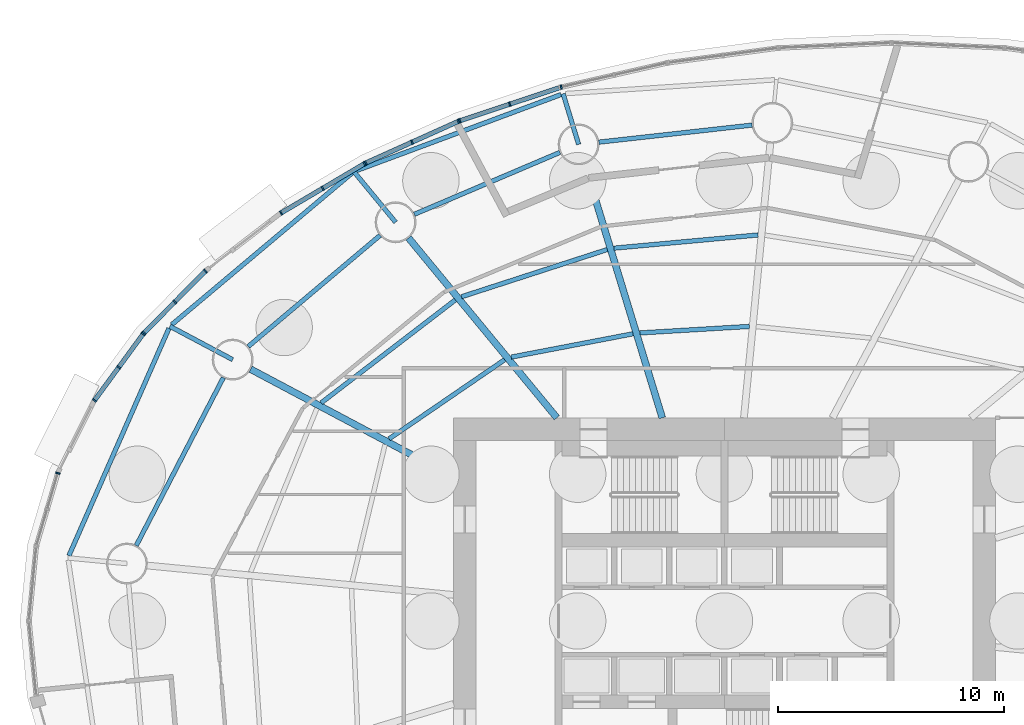
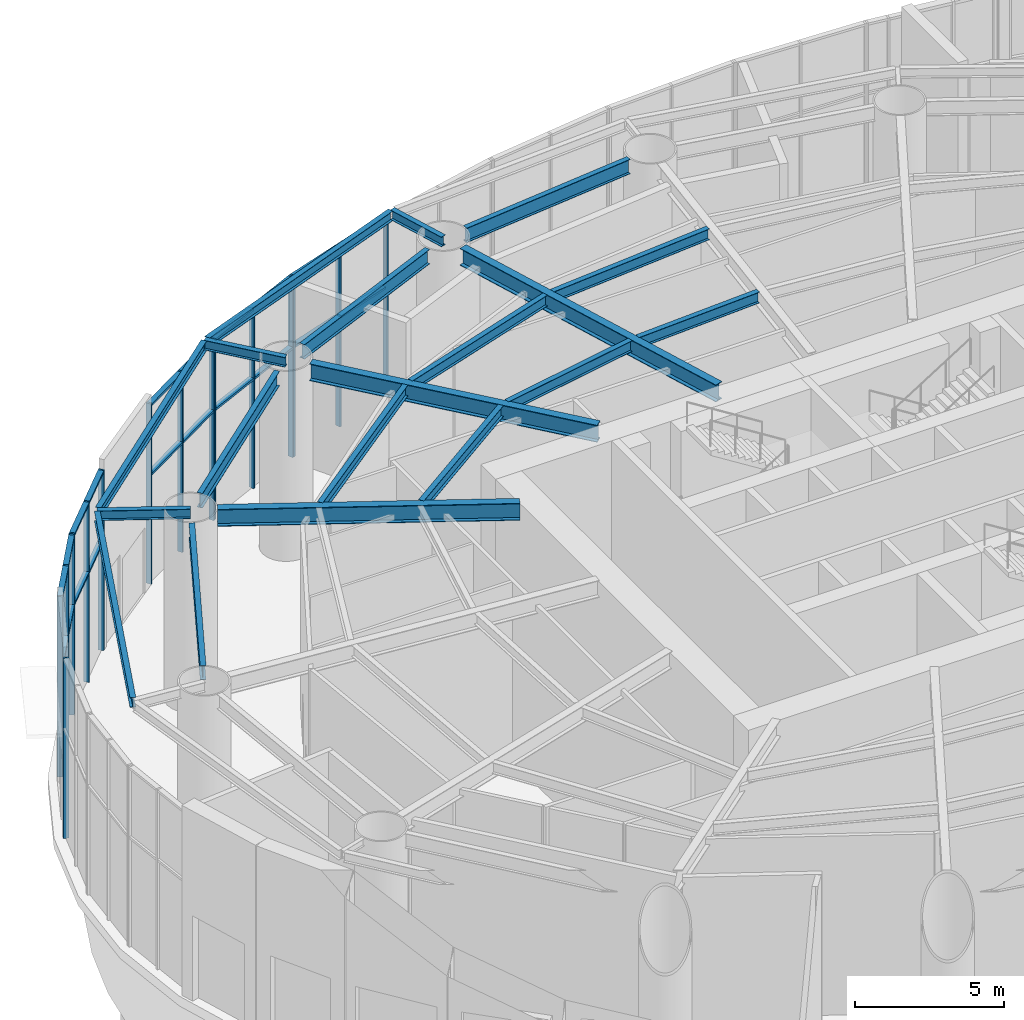
# One storey, part 10 of 27: 36 members, 19 beams, 7 elements without a shape of their own.
"""IFC4 building model written with IfcOpenShell, lengths in metres."""

from ifc_helpers import new_model, si_unit, direction, frame, origin, origin_2d, place, context, subcontext, project, spatial, rectangle, i_section, extrude, material, material_profile, profile_set, type_object, element, aggregate, save


model = new_model("IFC4")

# Units and contexts
model_context = context("Model", 3, precision=1e-05, world=origin(), true_north=direction((0.0, 1.0)))
body_context = subcontext(model_context, "Body", "Model", "MODEL_VIEW")
ifc_project = project(units=[si_unit("LENGTHUNIT", "METRE"), si_unit("AREAUNIT", "SQUARE_METRE"), si_unit("VOLUMEUNIT", "CUBIC_METRE"), si_unit("PLANEANGLEUNIT", "RADIAN"), si_unit("MASSUNIT", "GRAM", prefix="KILO")], contexts=[model_context])

# Site, building, storey
site_placement = place(None, origin())
site = spatial("IfcSite", under=ifc_project, at=site_placement, CompositionType="ELEMENT")
building_placement = place(site_placement, origin())
building = spatial("IfcBuilding", under=site, at=building_placement, Name="Vermilion Reach Broadcast Tower", CompositionType="ELEMENT")
storey_placement = place(building_placement, origin())
storey = spatial("IfcBuildingStorey", under=building, at=storey_placement, Name="L00", CompositionType="ELEMENT", Elevation=0.0)

# Beams
ifc_material_1 = material(Name="Steel S355J2", Category="steel")
ifc_material_profile_1 = material_profile(ifc_material_1, i_section(OverallWidth=0.199951171875, OverallDepth=0.39990234375, WebThickness=0.008056640625, FlangeThickness=0.012939453125, at=origin_2d()), Name="S355J2 HN 400x200x8x13")
ifc_profile_set_1 = profile_set([ifc_material_profile_1], Name="Steel S355J2")
beam_type_1 = type_object("IfcBeamType", Name="EB1 HN 400x200x8x13", PredefinedType="BEAM", material=ifc_profile_set_1)
beam_1_placement = place(storey_placement, frame((-13.23779296875, 23.3173828125, 7.60009765625), z_axis=(-0.9372716621, -0.348599815582, 0.0), x_axis=(0.348599815582, -0.9372716621, 0.0)))
element("IfcBeam", 1, at=beam_1_placement, inside=storey, type_object=beam_type_1, Name="Edge beam EB1-05", PredefinedType="BEAM", context=body_context, shape_type="SweptSolid", body=[
    extrude(i_section(OverallWidth=0.199951171875, OverallDepth=0.39990234375, WebThickness=0.008056640625, FlangeThickness=0.012939453125, at=origin_2d()), origin(), (0.0, 0.0, 1.0), 9.684326171875),
])
beam_2_placement = place(storey_placement, frame((-22.490478515625, 19.840087890625, 7.60009765625), z_axis=(-0.765453208317, -0.643491558513, 0.0), x_axis=(0.643491558513, -0.765453208317, 0.0)))
element("IfcBeam", 2, at=beam_2_placement, inside=storey, type_object=beam_type_1, Name="Edge beam EB1-06", PredefinedType="BEAM", context=body_context, shape_type="SweptSolid", body=[
    extrude(i_section(OverallWidth=0.199951171875, OverallDepth=0.39990234375, WebThickness=0.008056640625, FlangeThickness=0.012939453125, at=origin_2d()), origin(), (0.0, 0.0, 1.0), 10.437255859375),
])
beam_3_placement = place(storey_placement, frame((-30.6025390625, 12.962646484375, 7.60009765625), z_axis=(-0.402751254677, -0.915309470538, 0.0), x_axis=(0.915309470538, -0.402751254677, 0.0)))
element("IfcBeam", 3, at=beam_3_placement, inside=storey, type_object=beam_type_1, Name="Edge beam EB1-07", PredefinedType="BEAM", context=body_context, shape_type="SweptSolid", body=[
    extrude(i_section(OverallWidth=0.199951171875, OverallDepth=0.39990234375, WebThickness=0.008056640625, FlangeThickness=0.012939453125, at=origin_2d()), origin(), (0.0, 0.0, 1.0), 11.00341796875),
])
ifc_material_2 = material(Name="Steel S355J2", Category="steel")
ifc_material_profile_2 = material_profile(ifc_material_2, i_section(OverallWidth=0.300048828125, OverallDepth=0.699951171875, WebThickness=0.012939453125, FlangeThickness=0.02392578125, at=origin_2d()), Name="S355J2 HN 700x300x13x24")
ifc_profile_set_2 = profile_set([ifc_material_profile_2], Name="Steel S355J2")
beam_type_2 = type_object("IfcBeamType", Name="G1 HN 700x300x13x24", PredefinedType="BEAM", material=ifc_profile_set_2)
beam_4_placement = place(storey_placement, frame((-8.753173828125, 9.0, 7.449951171875), z_axis=(-0.292542302886, 0.95625258223, 0.0), x_axis=(-0.95625258223, -0.292542302886, 0.0)))
element("IfcBeam", 4, at=beam_4_placement, inside=storey, type_object=beam_type_2, Name="Girder G1-05", PredefinedType="BEAM", context=body_context, shape_type="SweptSolid", body=[
    extrude(i_section(OverallWidth=0.300048828125, OverallDepth=0.699951171875, WebThickness=0.012939453125, FlangeThickness=0.02392578125, at=origin_2d()), origin(), (0.0, 0.0, 1.0), 11.76220703125),
])
beam_5_placement = place(storey_placement, frame((-13.421630859375, 9.0, 7.449951171875), z_axis=(-0.636215165107, 0.77151167437, 0.0), x_axis=(-0.77151167437, -0.636215165107, 0.0)))
element("IfcBeam", 5, at=beam_5_placement, inside=storey, type_object=beam_type_2, Name="Girder G1-06", PredefinedType="BEAM", context=body_context, shape_type="SweptSolid", body=[
    extrude(i_section(OverallWidth=0.300048828125, OverallDepth=0.699951171875, WebThickness=0.012939453125, FlangeThickness=0.02392578125, at=origin_2d()), origin(), (0.0, 0.0, 1.0), 10.3251953125),
])
beam_6_placement = place(storey_placement, frame((-18.0, 6.3779296875, 7.449951171875), z_axis=(-0.883032139419, 0.469312519279, 0.0), x_axis=(-0.469312519279, -0.883032139419, 0.0)))
element("IfcBeam", 6, at=beam_6_placement, inside=storey, type_object=beam_type_2, Name="Girder G1-07", PredefinedType="BEAM", context=body_context, shape_type="SweptSolid", body=[
    extrude(i_section(OverallWidth=0.300048828125, OverallDepth=0.699951171875, WebThickness=0.012939453125, FlangeThickness=0.02392578125, at=origin_2d()), origin(), (0.0, 0.0, 1.0), 10.17529296875),
])
ifc_material_3 = material(Name="Steel S355J2", Category="steel")
ifc_material_profile_3 = material_profile(ifc_material_3, i_section(OverallWidth=0.199951171875, OverallDepth=0.39990234375, WebThickness=0.008056640625, FlangeThickness=0.012939453125, at=origin_2d()), Name="S355J2 HN 400x200x8x13")
ifc_profile_set_3 = profile_set([ifc_material_profile_3], Name="Steel S355J2")
beam_type_3 = type_object("IfcBeamType", Name="GC1 HN 400x200x8x13", PredefinedType="BEAM", material=ifc_profile_set_3)
beam_7_placement = place(storey_placement, frame((-12.45751953125, 21.108154296875, 7.60009765625), z_axis=(-0.292535678809, 0.956254608681, 0.0), x_axis=(-0.956254608681, -0.292535678809, 0.0)))
element("IfcBeam", 7, at=beam_7_placement, inside=storey, type_object=beam_type_3, Name="Cantilever girder GC1-05", PredefinedType="BEAM", context=body_context, shape_type="SweptSolid", body=[
    extrude(i_section(OverallWidth=0.199951171875, OverallDepth=0.39990234375, WebThickness=0.008056640625, FlangeThickness=0.012939453125, at=origin_2d()), origin(), (0.0, 0.0, 1.0), 2.346923828125),
])
beam_8_placement = place(storey_placement, frame((-20.563232421875, 17.660400390625, 7.60009765625), z_axis=(-0.636213137876, 0.771513346089, 0.0), x_axis=(-0.771513346089, -0.636213137876, 0.0)))
element("IfcBeam", 8, at=beam_8_placement, inside=storey, type_object=beam_type_3, Name="Cantilever girder GC1-06", PredefinedType="BEAM", context=body_context, shape_type="SweptSolid", body=[
    extrude(i_section(OverallWidth=0.199951171875, OverallDepth=0.39990234375, WebThickness=0.008056640625, FlangeThickness=0.012939453125, at=origin_2d()), origin(), (0.0, 0.0, 1.0), 2.90869140625),
])
beam_9_placement = place(storey_placement, frame((-27.77978515625, 11.57568359375, 7.60009765625), z_axis=(-0.8830404704, 0.469296843837, 0.0), x_axis=(-0.469296843837, -0.8830404704, 0.0)))
element("IfcBeam", 9, at=beam_9_placement, inside=storey, type_object=beam_type_3, Name="Cantilever girder GC1-07", PredefinedType="BEAM", context=body_context, shape_type="SweptSolid", body=[
    extrude(i_section(OverallWidth=0.199951171875, OverallDepth=0.39990234375, WebThickness=0.008056640625, FlangeThickness=0.012939453125, at=origin_2d()), origin(), (0.0, 0.0, 1.0), 3.151123046875),
])
ifc_material_4 = material(Name="Steel S355J2", Category="steel")
ifc_material_profile_4 = material_profile(ifc_material_4, i_section(OverallWidth=0.199951171875, OverallDepth=0.60009765625, WebThickness=0.010986328125, FlangeThickness=0.01708984375, at=origin_2d()), Name="S355J2 HN 600x200x11x17")
ifc_profile_set_4 = profile_set([ifc_material_profile_4], Name="Steel S355J2")
beam_type_4 = type_object("IfcBeamType", Name="RB1 HN 600x200x11x17", PredefinedType="BEAM", material=ifc_profile_set_4)
beam_10_placement = place(storey_placement, frame((-4.77392578125, 21.964111328125, 7.5), z_axis=(-0.993851439324, -0.110721798009, 0.0), x_axis=(0.110721798009, -0.993851439324, 0.0)))
element("IfcBeam", 10, at=beam_10_placement, inside=storey, type_object=beam_type_4, Name="Ring beam RB1-04", PredefinedType="BEAM", context=body_context, shape_type="SweptSolid", body=[
    extrude(i_section(OverallWidth=0.199951171875, OverallDepth=0.60009765625, WebThickness=0.010986328125, FlangeThickness=0.01708984375, at=origin_2d()), origin(), (0.0, 0.0, 1.0), 6.8310546875),
])
beam_11_placement = place(storey_placement, frame((-13.28564453125, 20.755859375, 7.5), z_axis=(-0.920220846584, -0.391399531825, 0.0), x_axis=(0.391399531825, -0.920220846584, 0.0)))
element("IfcBeam", 11, at=beam_11_placement, inside=storey, type_object=beam_type_4, Name="Ring beam RB1-05", PredefinedType="BEAM", context=body_context, shape_type="SweptSolid", body=[
    extrude(i_section(OverallWidth=0.199951171875, OverallDepth=0.60009765625, WebThickness=0.010986328125, FlangeThickness=0.01708984375, at=origin_2d()), origin(), (0.0, 0.0, 1.0), 7.008544921875),
])
beam_12_placement = place(storey_placement, frame((-21.251220703125, 17.080322265625, 7.5), z_axis=(-0.764512441084, -0.6446089725, 0.0), x_axis=(0.6446089725, -0.764512441084, 0.0)))
element("IfcBeam", 12, at=beam_12_placement, inside=storey, type_object=beam_type_4, Name="Ring beam RB1-06", PredefinedType="BEAM", context=body_context, shape_type="SweptSolid", body=[
    extrude(i_section(OverallWidth=0.199951171875, OverallDepth=0.60009765625, WebThickness=0.010986328125, FlangeThickness=0.01708984375, at=origin_2d()), origin(), (0.0, 0.0, 1.0), 7.6396484375),
])
beam_13_placement = place(storey_placement, frame((-28.194091796875, 10.776611328125, 7.5), z_axis=(-0.460411617218, -0.887705549566, 0.0), x_axis=(0.887705549566, -0.460411617218, 0.0)))
element("IfcBeam", 13, at=beam_13_placement, inside=storey, type_object=beam_type_4, Name="Ring beam RB1-07", PredefinedType="BEAM", context=body_context, shape_type="SweptSolid", body=[
    extrude(i_section(OverallWidth=0.199951171875, OverallDepth=0.60009765625, WebThickness=0.010986328125, FlangeThickness=0.01708984375, at=origin_2d()), origin(), (0.0, 0.0, 1.0), 8.37451171875),
])
ifc_material_5 = material(Name="Steel S355J2", Category="steel")
ifc_material_profile_5 = material_profile(ifc_material_5, i_section(OverallWidth=0.199951171875, OverallDepth=0.449951171875, WebThickness=0.009033203125, FlangeThickness=0.013916015625, at=origin_2d()), Name="S355J2 HN 450x200x9x14")
ifc_profile_set_5 = profile_set([ifc_material_profile_5], Name="Steel S355J2")
beam_type_5 = type_object("IfcBeamType", Name="SB1 HN 450x200x9x14", PredefinedType="BEAM", material=ifc_profile_set_5)
beam_14_placement = place(storey_placement, frame((-4.896728515625, 13.046875, 7.574951171875), z_axis=(-0.99823410974, -0.059402543307, 0.0), x_axis=(0.059402543307, -0.99823410974, 0.0)))
element("IfcBeam", 14, at=beam_14_placement, inside=storey, type_object=beam_type_5, Name="Secondary beam SB1-04-1", PredefinedType="BEAM", context=body_context, shape_type="SweptSolid", body=[
    extrude(i_section(OverallWidth=0.199951171875, OverallDepth=0.449951171875, WebThickness=0.009033203125, FlangeThickness=0.013916015625, at=origin_2d()), origin(), (0.0, 0.0, 1.0), 4.85791015625),
])
beam_15_placement = place(storey_placement, frame((-4.50732421875, 17.09814453125, 7.574951171875), z_axis=(-0.995818616382, -0.091352521952, 0.0), x_axis=(0.091352521952, -0.995818616382, 0.0)))
element("IfcBeam", 15, at=beam_15_placement, inside=storey, type_object=beam_type_5, Name="Secondary beam SB1-04-2", PredefinedType="BEAM", context=body_context, shape_type="SweptSolid", body=[
    extrude(i_section(OverallWidth=0.199951171875, OverallDepth=0.449951171875, WebThickness=0.009033203125, FlangeThickness=0.013916015625, at=origin_2d()), origin(), (0.0, 0.0, 1.0), 6.4140625),
])
beam_16_placement = place(storey_placement, frame((-10.04833984375, 12.720703125, 7.574951171875), z_axis=(-0.982151348822, -0.188092339045, 0.0), x_axis=(0.188092339045, -0.982151348822, 0.0)))
element("IfcBeam", 16, at=beam_16_placement, inside=storey, type_object=beam_type_5, Name="Secondary beam SB1-05-1", PredefinedType="BEAM", context=body_context, shape_type="SweptSolid", body=[
    extrude(i_section(OverallWidth=0.199951171875, OverallDepth=0.449951171875, WebThickness=0.009033203125, FlangeThickness=0.013916015625, at=origin_2d()), origin(), (0.0, 0.0, 1.0), 5.4931640625),
])
beam_17_placement = place(storey_placement, frame((-11.18994140625, 16.4521484375, 7.574951171875), z_axis=(-0.951332300844, -0.308166924523, 0.0), x_axis=(0.308166924523, -0.951332300844, 0.0)))
element("IfcBeam", 17, at=beam_17_placement, inside=storey, type_object=beam_type_5, Name="Secondary beam SB1-05-2", PredefinedType="BEAM", context=body_context, shape_type="SweptSolid", body=[
    extrude(i_section(OverallWidth=0.199951171875, OverallDepth=0.449951171875, WebThickness=0.009033203125, FlangeThickness=0.013916015625, at=origin_2d()), origin(), (0.0, 0.0, 1.0), 6.787841796875),
])
beam_18_placement = place(storey_placement, frame((-15.735595703125, 11.5703125, 7.574951171875), z_axis=(-0.825140253447, -0.564927926502, 0.0), x_axis=(0.564927926502, -0.825140253447, 0.0)))
element("IfcBeam", 18, at=beam_18_placement, inside=storey, type_object=beam_type_5, Name="Secondary beam SB1-06-1", PredefinedType="BEAM", context=body_context, shape_type="SweptSolid", body=[
    extrude(i_section(OverallWidth=0.199951171875, OverallDepth=0.449951171875, WebThickness=0.009033203125, FlangeThickness=0.013916015625, at=origin_2d()), origin(), (0.0, 0.0, 1.0), 6.20458984375),
])
beam_19_placement = place(storey_placement, frame((-17.920166015625, 14.21923828125, 7.574951171875), z_axis=(-0.793349617473, -0.60876628065, 0.0), x_axis=(0.60876628065, -0.793349617473, 0.0)))
element("IfcBeam", 19, at=beam_19_placement, inside=storey, type_object=beam_type_5, Name="Secondary beam SB1-06-2", PredefinedType="BEAM", context=body_context, shape_type="SweptSolid", body=[
    extrude(i_section(OverallWidth=0.199951171875, OverallDepth=0.449951171875, WebThickness=0.009033203125, FlangeThickness=0.013916015625, at=origin_2d()), origin(), (0.0, 0.0, 1.0), 7.486328125),
])

# Curtain wall, member
ifc_material_6 = material(Name="Low-e laminated clear glass in aluminium frame", Category="aluminium")
curtain_wall_type = type_object("IfcCurtainWallType", Name="Street frontage curtain wall", PredefinedType="NOTDEFINED", material=ifc_material_6)
placement = place(storey_placement, origin())
curtain_wall_1 = element("IfcCurtainWall", 20, at=placement, inside=storey, type_object=curtain_wall_type, Name="Street frontage L00 05", PredefinedType="NOTDEFINED")
ifc_material_7 = material(Name="Anodised aluminium", Category="aluminium")
ifc_material_profile_6 = material_profile(ifc_material_7, rectangle(XDim=0.199951171875, YDim=0.070068359375, at=origin_2d()), Name="Street frontage mullion 70 x 200")
ifc_profile_set_6 = profile_set([ifc_material_profile_6], Name="Anodised aluminium")
member_type_1 = type_object("IfcMemberType", Name="Street frontage mullion 70 x 200", PredefinedType="MULLION", material=ifc_profile_set_6)
member_1_placement = place(storey_placement, frame((-13.22998046875, 23.643310546875, 0.0), z_axis=(0.0, 0.0, 1.0), x_axis=(0.222891523278, -0.974843253478, 0.0)))
member_1 = element("IfcMember", 21, at=member_1_placement, type_object=member_type_1, Name="Street frontage mullion L00 05.3", PredefinedType="MULLION", context=body_context, shape_type="SweptSolid", body=[
    extrude(rectangle(XDim=0.199951171875, YDim=0.070068359375, at=origin_2d()), origin(), (0.0, 0.0, 1.0), 7.39990234375),
])
aggregate(curtain_wall_1, [member_1])

# Curtain wall, members
curtain_wall_2 = element("IfcCurtainWall", 22, at=placement, inside=storey, type_object=curtain_wall_type, Name="Street frontage L00 06", PredefinedType="NOTDEFINED")
member_2_placement = place(storey_placement, frame((-15.509521484375, 22.8896484375, 0.0), z_axis=(0.0, 0.0, 1.0), x_axis=(0.315228098746, -0.949015935462, 0.0)))
member_2 = element("IfcMember", 23, at=member_2_placement, type_object=member_type_1, Name="Street frontage mullion L00 06.2", PredefinedType="MULLION", context=body_context, shape_type="SweptSolid", body=[
    extrude(rectangle(XDim=0.199951171875, YDim=0.070068359375, at=origin_2d()), origin(), (0.0, 0.0, 1.0), 7.39990234375),
])
member_3_placement = place(storey_placement, frame((-17.721923828125, 22.15478515625, 0.0), z_axis=(0.0, 0.0, 1.0), x_axis=(0.315228098746, -0.949015935462, 0.0)))
member_3 = element("IfcMember", 24, at=member_3_placement, type_object=member_type_1, Name="Street frontage mullion L00 06.3", PredefinedType="MULLION", context=body_context, shape_type="SweptSolid", body=[
    extrude(rectangle(XDim=0.199951171875, YDim=0.070068359375, at=origin_2d()), origin(), (0.0, 0.0, 1.0), 7.39990234375),
])

curtain_wall_3 = element("IfcCurtainWall", 25, at=placement, inside=storey, type_object=curtain_wall_type, Name="Street frontage L00 07", PredefinedType="NOTDEFINED")
member_4_placement = place(storey_placement, frame((-17.786865234375, 22.12939453125, 0.0), z_axis=(0.0, 0.0, 1.0), x_axis=(0.410407876277, -0.911902064418, 0.0)))
member_4 = element("IfcMember", 26, at=member_4_placement, type_object=member_type_1, Name="Street frontage mullion L00 07.1", PredefinedType="MULLION", context=body_context, shape_type="SweptSolid", body=[
    extrude(rectangle(XDim=0.199951171875, YDim=0.070068359375, at=origin_2d()), origin(), (0.0, 0.0, 1.0), 7.39990234375),
])
member_5_placement = place(storey_placement, frame((-19.834716796875, 21.207763671875, 0.0), z_axis=(0.0, 0.0, 1.0), x_axis=(0.410407876277, -0.911902064418, 0.0)))
member_5 = element("IfcMember", 27, at=member_5_placement, type_object=member_type_1, Name="Street frontage mullion L00 07.2", PredefinedType="MULLION", context=body_context, shape_type="SweptSolid", body=[
    extrude(rectangle(XDim=0.199951171875, YDim=0.070068359375, at=origin_2d()), origin(), (0.0, 0.0, 1.0), 7.39990234375),
])
member_6_placement = place(storey_placement, frame((-21.882568359375, 20.2861328125, 0.0), z_axis=(0.0, 0.0, 1.0), x_axis=(0.410407876277, -0.911902064418, 0.0)))
member_6 = element("IfcMember", 28, at=member_6_placement, type_object=member_type_1, Name="Street frontage mullion L00 07.3", PredefinedType="MULLION", context=body_context, shape_type="SweptSolid", body=[
    extrude(rectangle(XDim=0.199951171875, YDim=0.070068359375, at=origin_2d()), origin(), (0.0, 0.0, 1.0), 7.39990234375),
])

curtain_wall_4 = element("IfcCurtainWall", 29, at=placement, inside=storey, type_object=curtain_wall_type, Name="Street frontage L00 08", PredefinedType="NOTDEFINED")
member_7_placement = place(storey_placement, frame((-21.944580078125, 20.254150390625, 0.0), z_axis=(0.0, 0.0, 1.0), x_axis=(0.508589622127, -0.861009057017, 0.0)))
member_7 = element("IfcMember", 30, at=member_7_placement, type_object=member_type_1, Name="Street frontage mullion L00 08.1", PredefinedType="MULLION", context=body_context, shape_type="SweptSolid", body=[
    extrude(rectangle(XDim=0.199951171875, YDim=0.070068359375, at=origin_2d()), origin(), (0.0, 0.0, 1.0), 7.39990234375),
])
member_8_placement = place(storey_placement, frame((-23.792724609375, 19.162353515625, 0.0), z_axis=(0.0, 0.0, 1.0), x_axis=(0.508589622127, -0.861009057017, 0.0)))
member_8 = element("IfcMember", 31, at=member_8_placement, type_object=member_type_1, Name="Street frontage mullion L00 08.2", PredefinedType="MULLION", context=body_context, shape_type="SweptSolid", body=[
    extrude(rectangle(XDim=0.199951171875, YDim=0.070068359375, at=origin_2d()), origin(), (0.0, 0.0, 1.0), 7.39990234375),
])
member_9_placement = place(storey_placement, frame((-25.640625, 18.07080078125, 0.0), z_axis=(0.0, 0.0, 1.0), x_axis=(0.508589622127, -0.861009057017, 0.0)))
member_9 = element("IfcMember", 32, at=member_9_placement, type_object=member_type_1, Name="Street frontage mullion L00 08.3", PredefinedType="MULLION", context=body_context, shape_type="SweptSolid", body=[
    extrude(rectangle(XDim=0.199951171875, YDim=0.070068359375, at=origin_2d()), origin(), (0.0, 0.0, 1.0), 7.39990234375),
])

curtain_wall_5 = element("IfcCurtainWall", 33, at=placement, inside=storey, type_object=curtain_wall_type, Name="Street frontage L00 01", PredefinedType="NOTDEFINED")
member_10_placement = place(storey_placement, frame((-28.984130859375, 15.50244140625, 0.0), z_axis=(0.0, 0.0, 1.0), x_axis=(0.709925939614, -0.704276337997, 0.0)))
member_10 = element("IfcMember", 34, at=member_10_placement, type_object=member_type_1, Name="Street frontage mullion L00 01.1", PredefinedType="MULLION", context=body_context, shape_type="SweptSolid", body=[
    extrude(rectangle(XDim=0.199951171875, YDim=0.070068359375, at=origin_2d()), origin(), (0.0, 0.0, 1.0), 7.39990234375),
])
member_11_placement = place(storey_placement, frame((-30.34228515625, 14.133544921875, 0.0), z_axis=(0.0, 0.0, 1.0), x_axis=(0.709925939614, -0.704276337997, 0.0)))
member_11 = element("IfcMember", 35, at=member_11_placement, type_object=member_type_1, Name="Street frontage mullion L00 01.2", PredefinedType="MULLION", context=body_context, shape_type="SweptSolid", body=[
    extrude(rectangle(XDim=0.199951171875, YDim=0.070068359375, at=origin_2d()), origin(), (0.0, 0.0, 1.0), 7.39990234375),
])
member_12_placement = place(storey_placement, frame((-31.7001953125, 12.7646484375, 0.0), z_axis=(0.0, 0.0, 1.0), x_axis=(0.709925939614, -0.704276337997, 0.0)))
member_12 = element("IfcMember", 36, at=member_12_placement, type_object=member_type_1, Name="Street frontage mullion L00 01.3", PredefinedType="MULLION", context=body_context, shape_type="SweptSolid", body=[
    extrude(rectangle(XDim=0.199951171875, YDim=0.070068359375, at=origin_2d()), origin(), (0.0, 0.0, 1.0), 7.39990234375),
])

curtain_wall_6 = element("IfcCurtainWall", 37, at=placement, inside=storey, type_object=curtain_wall_type, Name="Street frontage L00 02", PredefinedType="NOTDEFINED")
member_13_placement = place(storey_placement, frame((-31.74560546875, 12.71142578125, 0.0), z_axis=(0.0, 0.0, 1.0), x_axis=(0.806847463604, -0.590759824697, 0.0)))
member_13 = element("IfcMember", 38, at=member_13_placement, type_object=member_type_1, Name="Street frontage mullion L00 02.1", PredefinedType="MULLION", context=body_context, shape_type="SweptSolid", body=[
    extrude(rectangle(XDim=0.199951171875, YDim=0.070068359375, at=origin_2d()), origin(), (0.0, 0.0, 1.0), 7.39990234375),
])
member_14_placement = place(storey_placement, frame((-32.822998046875, 11.239990234375, 0.0), z_axis=(0.0, 0.0, 1.0), x_axis=(0.806847463604, -0.590759824697, 0.0)))
member_14 = element("IfcMember", 39, at=member_14_placement, type_object=member_type_1, Name="Street frontage mullion L00 02.2", PredefinedType="MULLION", context=body_context, shape_type="SweptSolid", body=[
    extrude(rectangle(XDim=0.199951171875, YDim=0.070068359375, at=origin_2d()), origin(), (0.0, 0.0, 1.0), 7.39990234375),
])
member_15_placement = place(storey_placement, frame((-33.900390625, 9.7685546875, 0.0), z_axis=(0.0, 0.0, 1.0), x_axis=(0.806847463604, -0.590759824697, 0.0)))
member_15 = element("IfcMember", 40, at=member_15_placement, type_object=member_type_1, Name="Street frontage mullion L00 02.3", PredefinedType="MULLION", context=body_context, shape_type="SweptSolid", body=[
    extrude(rectangle(XDim=0.199951171875, YDim=0.070068359375, at=origin_2d()), origin(), (0.0, 0.0, 1.0), 7.39990234375),
])

# Curtain wall, member
curtain_wall_7 = element("IfcCurtainWall", 41, at=placement, inside=storey, type_object=curtain_wall_type, Name="Street frontage L00 01", PredefinedType="NOTDEFINED")
member_16_placement = place(storey_placement, frame((-35.52294921875, 6.5478515625, 0.0), z_axis=(0.0, 0.0, 1.0), x_axis=(0.959047559317, -0.283245086397, 0.0)))
member_16 = element("IfcMember", 42, at=member_16_placement, type_object=member_type_1, Name="Street frontage mullion L00 01.1", PredefinedType="MULLION", context=body_context, shape_type="SweptSolid", body=[
    extrude(rectangle(XDim=0.199951171875, YDim=0.070068359375, at=origin_2d()), origin(), (0.0, 0.0, 1.0), 7.39990234375),
])
aggregate(curtain_wall_7, [member_16])

# Member
ifc_material_8 = material(Name="Anodised aluminium", Category="aluminium")
ifc_material_profile_7 = material_profile(ifc_material_8, rectangle(XDim=0.199951171875, YDim=0.090087890625, at=origin_2d()), Name="Street frontage transom 200 x 90")
ifc_profile_set_7 = profile_set([ifc_material_profile_7], Name="Anodised aluminium")
member_type_2 = type_object("IfcMemberType", Name="Street frontage transom 200 x 90", PredefinedType="USERDEFINED", material=ifc_profile_set_7)
member_17_placement = place(storey_placement, frame((-13.33056640625, 23.613525390625, 4.5), z_axis=(-0.948995961677, -0.315288224837, 0.0), x_axis=(0.315288224837, -0.948995961677, 0.0)))
member_17 = element("IfcMember", 43, at=member_17_placement, type_object=member_type_2, Name="Street frontage transom L00 06.1.2", ObjectType="TRANSOM", PredefinedType="USERDEFINED", context=body_context, shape_type="SweptSolid", body=[
    extrude(rectangle(XDim=0.199951171875, YDim=0.090087890625, at=origin_2d()), origin(), (0.0, 0.0, 1.0), 2.260986328125),
])

member_18_placement = place(storey_placement, frame((-13.33056640625, 23.613525390625, 7.35498046875), z_axis=(-0.948995961677, -0.315288224837, 0.0), x_axis=(0.315288224837, -0.948995961677, 0.0)))
member_18 = element("IfcMember", 44, at=member_18_placement, type_object=member_type_2, Name="Street frontage transom L00 06.1.3", ObjectType="TRANSOM", PredefinedType="USERDEFINED", context=body_context, shape_type="SweptSolid", body=[
    extrude(rectangle(XDim=0.199951171875, YDim=0.090087890625, at=origin_2d()), origin(), (0.0, 0.0, 1.0), 2.260986328125),
])

member_19_placement = place(storey_placement, frame((-15.542724609375, 22.878662109375, 4.5), z_axis=(-0.949028264823, -0.315190977929, 0.0), x_axis=(0.315190977929, -0.949028264823, 0.0)))
member_19 = element("IfcMember", 45, at=member_19_placement, type_object=member_type_2, Name="Street frontage transom L00 06.2.2", ObjectType="TRANSOM", PredefinedType="USERDEFINED", context=body_context, shape_type="SweptSolid", body=[
    extrude(rectangle(XDim=0.199951171875, YDim=0.090087890625, at=origin_2d()), origin(), (0.0, 0.0, 1.0), 2.260986328125),
])

member_20_placement = place(storey_placement, frame((-15.542724609375, 22.878662109375, 7.35498046875), z_axis=(-0.949028264823, -0.315190977929, 0.0), x_axis=(0.315190977929, -0.949028264823, 0.0)))
member_20 = element("IfcMember", 46, at=member_20_placement, type_object=member_type_2, Name="Street frontage transom L00 06.2.3", ObjectType="TRANSOM", PredefinedType="USERDEFINED", context=body_context, shape_type="SweptSolid", body=[
    extrude(rectangle(XDim=0.199951171875, YDim=0.090087890625, at=origin_2d()), origin(), (0.0, 0.0, 1.0), 2.260986328125),
])

aggregate(curtain_wall_2, [member_2, member_3, member_17, member_18, member_19, member_20])

member_21_placement = place(storey_placement, frame((-17.81884765625, 22.115234375, 4.5), z_axis=(-0.911885810904, -0.410443988715, 0.0), x_axis=(0.410443988715, -0.911885810904, 0.0)))
member_21 = element("IfcMember", 47, at=member_21_placement, type_object=member_type_2, Name="Street frontage transom L00 07.1.2", ObjectType="TRANSOM", PredefinedType="USERDEFINED", context=body_context, shape_type="SweptSolid", body=[
    extrude(rectangle(XDim=0.199951171875, YDim=0.090087890625, at=origin_2d()), origin(), (0.0, 0.0, 1.0), 2.17578125),
])

member_22_placement = place(storey_placement, frame((-17.81884765625, 22.115234375, 7.35498046875), z_axis=(-0.911885810904, -0.410443988715, 0.0), x_axis=(0.410443988715, -0.911885810904, 0.0)))
member_22 = element("IfcMember", 48, at=member_22_placement, type_object=member_type_2, Name="Street frontage transom L00 07.1.3", ObjectType="TRANSOM", PredefinedType="USERDEFINED", context=body_context, shape_type="SweptSolid", body=[
    extrude(rectangle(XDim=0.199951171875, YDim=0.090087890625, at=origin_2d()), origin(), (0.0, 0.0, 1.0), 2.17578125),
])

member_23_placement = place(storey_placement, frame((-19.86669921875, 21.193603515625, 4.5), z_axis=(-0.911866905557, -0.410485988251, 0.0), x_axis=(0.410485988251, -0.911866905557, 0.0)))
member_23 = element("IfcMember", 49, at=member_23_placement, type_object=member_type_2, Name="Street frontage transom L00 07.2.2", ObjectType="TRANSOM", PredefinedType="USERDEFINED", context=body_context, shape_type="SweptSolid", body=[
    extrude(rectangle(XDim=0.199951171875, YDim=0.090087890625, at=origin_2d()), origin(), (0.0, 0.0, 1.0), 2.175537109375),
])

member_24_placement = place(storey_placement, frame((-19.86669921875, 21.193603515625, 7.35498046875), z_axis=(-0.911866905557, -0.410485988251, 0.0), x_axis=(0.410485988251, -0.911866905557, 0.0)))
member_24 = element("IfcMember", 50, at=member_24_placement, type_object=member_type_2, Name="Street frontage transom L00 07.2.3", ObjectType="TRANSOM", PredefinedType="USERDEFINED", context=body_context, shape_type="SweptSolid", body=[
    extrude(rectangle(XDim=0.199951171875, YDim=0.090087890625, at=origin_2d()), origin(), (0.0, 0.0, 1.0), 2.175537109375),
])

aggregate(curtain_wall_3, [member_4, member_5, member_6, member_21, member_22, member_23, member_24])

member_25_placement = place(storey_placement, frame((-21.974853515625, 20.236328125, 4.5), z_axis=(-0.860959299043, -0.508673849722, 0.0), x_axis=(0.508673849722, -0.860959299043, 0.0)))
member_25 = element("IfcMember", 51, at=member_25_placement, type_object=member_type_2, Name="Street frontage transom L00 08.1.2", ObjectType="TRANSOM", PredefinedType="USERDEFINED", context=body_context, shape_type="SweptSolid", body=[
    extrude(rectangle(XDim=0.199951171875, YDim=0.090087890625, at=origin_2d()), origin(), (0.0, 0.0, 1.0), 2.076171875),
])

member_26_placement = place(storey_placement, frame((-21.974853515625, 20.236328125, 7.35498046875), z_axis=(-0.860959299043, -0.508673849722, 0.0), x_axis=(0.508673849722, -0.860959299043, 0.0)))
member_26 = element("IfcMember", 52, at=member_26_placement, type_object=member_type_2, Name="Street frontage transom L00 08.1.3", ObjectType="TRANSOM", PredefinedType="USERDEFINED", context=body_context, shape_type="SweptSolid", body=[
    extrude(rectangle(XDim=0.199951171875, YDim=0.090087890625, at=origin_2d()), origin(), (0.0, 0.0, 1.0), 2.076171875),
])

member_27_placement = place(storey_placement, frame((-23.82275390625, 19.14453125, 4.5), z_axis=(-0.861041205734, -0.508535192517, 0.0), x_axis=(0.508535192517, -0.861041205734, 0.0)))
member_27 = element("IfcMember", 53, at=member_27_placement, type_object=member_type_2, Name="Street frontage transom L00 08.2.2", ObjectType="TRANSOM", PredefinedType="USERDEFINED", context=body_context, shape_type="SweptSolid", body=[
    extrude(rectangle(XDim=0.199951171875, YDim=0.090087890625, at=origin_2d()), origin(), (0.0, 0.0, 1.0), 2.076416015625),
])

member_28_placement = place(storey_placement, frame((-23.82275390625, 19.14453125, 7.35498046875), z_axis=(-0.861041205734, -0.508535192517, 0.0), x_axis=(0.508535192517, -0.861041205734, 0.0)))
member_28 = element("IfcMember", 54, at=member_28_placement, type_object=member_type_2, Name="Street frontage transom L00 08.2.3", ObjectType="TRANSOM", PredefinedType="USERDEFINED", context=body_context, shape_type="SweptSolid", body=[
    extrude(rectangle(XDim=0.199951171875, YDim=0.090087890625, at=origin_2d()), origin(), (0.0, 0.0, 1.0), 2.076416015625),
])

aggregate(curtain_wall_4, [member_7, member_8, member_9, member_25, member_26, member_27, member_28])

member_29_placement = place(storey_placement, frame((-29.0087890625, 15.4775390625, 4.5), z_axis=(-0.704276676705, -0.709925603602, 0.0), x_axis=(0.709925603602, -0.704276676705, 0.0)))
member_29 = element("IfcMember", 55, at=member_29_placement, type_object=member_type_2, Name="Street frontage transom L00 01.1.2", ObjectType="TRANSOM", PredefinedType="USERDEFINED", context=body_context, shape_type="SweptSolid", body=[
    extrude(rectangle(XDim=0.199951171875, YDim=0.090087890625, at=origin_2d()), origin(), (0.0, 0.0, 1.0), 1.8583984375),
])

member_30_placement = place(storey_placement, frame((-29.0087890625, 15.4775390625, 7.35498046875), z_axis=(-0.704276676705, -0.709925603602, 0.0), x_axis=(0.709925603602, -0.704276676705, 0.0)))
member_30 = element("IfcMember", 56, at=member_30_placement, type_object=member_type_2, Name="Street frontage transom L00 01.1.3", ObjectType="TRANSOM", PredefinedType="USERDEFINED", context=body_context, shape_type="SweptSolid", body=[
    extrude(rectangle(XDim=0.199951171875, YDim=0.090087890625, at=origin_2d()), origin(), (0.0, 0.0, 1.0), 1.8583984375),
])

member_31_placement = place(storey_placement, frame((-30.366943359375, 14.108642578125, 4.5), z_axis=(-0.704210457578, -0.709991289692, 0.0), x_axis=(0.709991289692, -0.704210457578, 0.0)))
member_31 = element("IfcMember", 57, at=member_31_placement, type_object=member_type_2, Name="Street frontage transom L00 01.2.2", ObjectType="TRANSOM", PredefinedType="USERDEFINED", context=body_context, shape_type="SweptSolid", body=[
    extrude(rectangle(XDim=0.199951171875, YDim=0.090087890625, at=origin_2d()), origin(), (0.0, 0.0, 1.0), 1.858154296875),
])

member_32_placement = place(storey_placement, frame((-30.366943359375, 14.108642578125, 7.35498046875), z_axis=(-0.704210457578, -0.709991289692, 0.0), x_axis=(0.709991289692, -0.704210457578, 0.0)))
member_32 = element("IfcMember", 58, at=member_32_placement, type_object=member_type_2, Name="Street frontage transom L00 01.2.3", ObjectType="TRANSOM", PredefinedType="USERDEFINED", context=body_context, shape_type="SweptSolid", body=[
    extrude(rectangle(XDim=0.199951171875, YDim=0.090087890625, at=origin_2d()), origin(), (0.0, 0.0, 1.0), 1.858154296875),
])

aggregate(curtain_wall_5, [member_10, member_11, member_12, member_29, member_30, member_31, member_32])

member_33_placement = place(storey_placement, frame((-31.76611328125, 12.68310546875, 4.5), z_axis=(-0.590850521549, -0.806781049099, 0.0), x_axis=(0.806781049099, -0.590850521549, 0.0)))
member_33 = element("IfcMember", 59, at=member_33_placement, type_object=member_type_2, Name="Street frontage transom L00 02.1.2", ObjectType="TRANSOM", PredefinedType="USERDEFINED", context=body_context, shape_type="SweptSolid", body=[
    extrude(rectangle(XDim=0.199951171875, YDim=0.090087890625, at=origin_2d()), origin(), (0.0, 0.0, 1.0), 1.753662109375),
])

member_34_placement = place(storey_placement, frame((-31.76611328125, 12.68310546875, 7.35498046875), z_axis=(-0.590850521549, -0.806781049099, 0.0), x_axis=(0.806781049099, -0.590850521549, 0.0)))
member_34 = element("IfcMember", 60, at=member_34_placement, type_object=member_type_2, Name="Street frontage transom L00 02.1.3", ObjectType="TRANSOM", PredefinedType="USERDEFINED", context=body_context, shape_type="SweptSolid", body=[
    extrude(rectangle(XDim=0.199951171875, YDim=0.090087890625, at=origin_2d()), origin(), (0.0, 0.0, 1.0), 1.753662109375),
])

member_35_placement = place(storey_placement, frame((-32.843505859375, 11.211669921875, 4.5), z_axis=(-0.590784162545, -0.806829643287, 0.0), x_axis=(0.806829643287, -0.590784162545, 0.0)))
member_35 = element("IfcMember", 61, at=member_35_placement, type_object=member_type_2, Name="Street frontage transom L00 02.2.2", ObjectType="TRANSOM", PredefinedType="USERDEFINED", context=body_context, shape_type="SweptSolid", body=[
    extrude(rectangle(XDim=0.199951171875, YDim=0.090087890625, at=origin_2d()), origin(), (0.0, 0.0, 1.0), 1.75390625),
])

member_36_placement = place(storey_placement, frame((-32.843505859375, 11.211669921875, 7.35498046875), z_axis=(-0.590784162545, -0.806829643287, 0.0), x_axis=(0.806829643287, -0.590784162545, 0.0)))
member_36 = element("IfcMember", 62, at=member_36_placement, type_object=member_type_2, Name="Street frontage transom L00 02.2.3", ObjectType="TRANSOM", PredefinedType="USERDEFINED", context=body_context, shape_type="SweptSolid", body=[
    extrude(rectangle(XDim=0.199951171875, YDim=0.090087890625, at=origin_2d()), origin(), (0.0, 0.0, 1.0), 1.75390625),
])

aggregate(curtain_wall_6, [member_13, member_14, member_15, member_33, member_34, member_35, member_36])

save(model, "model.ifc")
